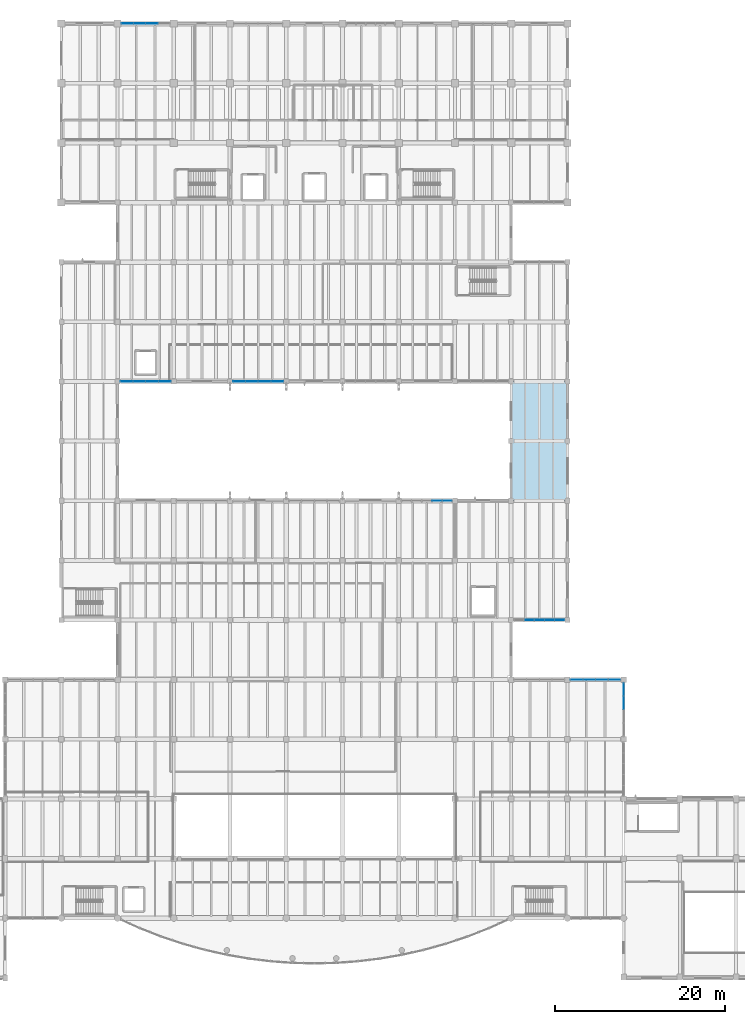
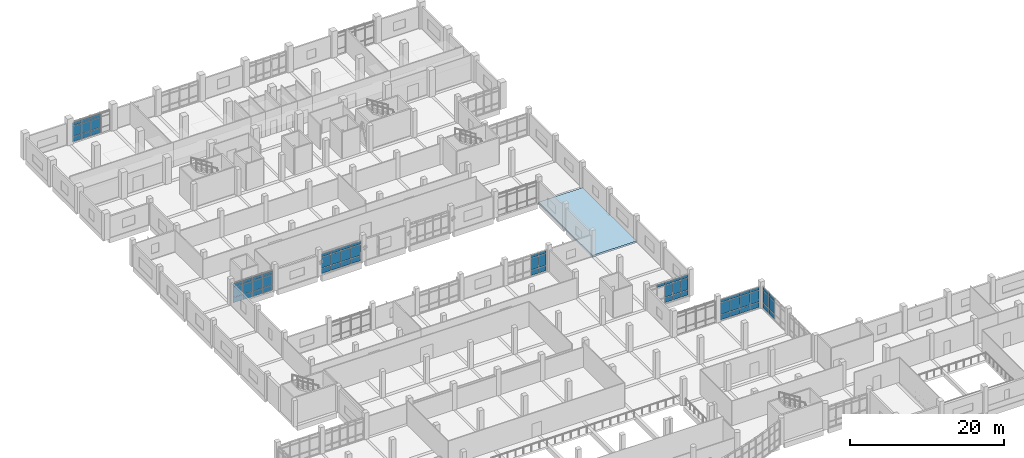
# One storey, part 38 of 68: 67 plates, 1 slab, 7 elements without a shape of their own.
"""IFC4 building model written with IfcOpenShell, lengths in metres."""

from ifc_helpers import new_model, si_unit, direction, frame, origin, origin_2d, place, context, subcontext, project, spatial, polyline, rectangle, outline, extrude, material, layer, layer_set, type_object, element, aggregate, save


model = new_model("IFC4")

# Units and contexts
model_context = context("Model", 3, precision=1e-05, world=origin(), true_north=direction((0.0, 1.0)))
body_context = subcontext(model_context, "Body", "Model", "MODEL_VIEW")
ifc_project = project(units=[si_unit("LENGTHUNIT", "METRE"), si_unit("AREAUNIT", "SQUARE_METRE"), si_unit("VOLUMEUNIT", "CUBIC_METRE"), si_unit("PLANEANGLEUNIT", "RADIAN"), si_unit("MASSUNIT", "GRAM", prefix="KILO")], contexts=[model_context])

# Site, building, storey
site_placement = place(None, origin())
site = spatial("IfcSite", under=ifc_project, at=site_placement, CompositionType="ELEMENT")
building_placement = place(site_placement, origin())
building = spatial("IfcBuilding", under=site, at=building_placement, Name="Ciguamira Faculty of Natural Sciences", CompositionType="ELEMENT")
storey_placement = place(building_placement, frame((0.0, 0.0, 4.199951171875)))
storey = spatial("IfcBuildingStorey", under=building, at=storey_placement, Name="L01", CompositionType="ELEMENT", Elevation=4.199951171875)

# Curtain wall, plates
ifc_material_1 = material(Name="Anodized aluminium curtain wall", Category="aluminium")
curtain_wall_type_1 = type_object("IfcCurtainWallType", Name="CurtainWall_CW-11", PredefinedType="USERDEFINED", material=ifc_material_1)
curtain_wall_1_placement = place(storey_placement, origin())
curtain_wall_1 = element("IfcCurtainWall", 1, at=curtain_wall_1_placement, inside=storey, type_object=curtain_wall_type_1, Name="L01 unitised curtain wall 0035", ObjectType="UNITISED CURTAIN WALL", PredefinedType="USERDEFINED")
ifc_material_2 = material(Name="Low-E laminated solar glass", Category="glass")
ifc_layer_1 = layer(ifc_material_2, 0.028076171875, Name="Low-E laminated solar glass")
ifc_layer_set_1 = layer_set([ifc_layer_1], Name="Low-E laminated solar glass")
plate_type_1 = type_object("IfcPlateType", Name="CWPanel_CWP-01", PredefinedType="CURTAIN_PANEL", material=ifc_layer_set_1)
plate_1_placement = place(storey_placement, frame((117.7861328125, 38.0, 0.070068359375), z_axis=(0.0, 0.0, 1.0), x_axis=(1.0, 0.0, 0.0)))
plate_1 = element("IfcPlate", 2, at=plate_1_placement, type_object=plate_type_1, Name="CW-11 panel 1.1", PredefinedType="CURTAIN_PANEL", context=body_context, shape_type="SweptSolid", body=[
    extrude(rectangle(XDim=1.382568359375, YDim=0.028076171875, at=origin_2d()), origin(), (0.0, 0.0, 1.0), 0.794921875),
])
plate_2_placement = place(storey_placement, frame((117.7861328125, 38.0, 0.93505859375), z_axis=(0.0, 0.0, 1.0), x_axis=(1.0, 0.0, 0.0)))
plate_2 = element("IfcPlate", 3, at=plate_2_placement, type_object=plate_type_1, Name="CW-11 panel 1.2", PredefinedType="CURTAIN_PANEL", context=body_context, shape_type="SweptSolid", body=[
    extrude(rectangle(XDim=1.382568359375, YDim=0.028076171875, at=origin_2d()), origin(), (0.0, 0.0, 1.0), 1.824951171875),
])
plate_3_placement = place(storey_placement, frame((117.7861328125, 38.0, 2.830078125), z_axis=(0.0, 0.0, 1.0), x_axis=(1.0, 0.0, 0.0)))
plate_3 = element("IfcPlate", 4, at=plate_3_placement, type_object=plate_type_1, Name="CW-11 panel 1.3", PredefinedType="CURTAIN_PANEL", context=body_context, shape_type="SweptSolid", body=[
    extrude(rectangle(XDim=1.382568359375, YDim=0.028076171875, at=origin_2d()), origin(), (0.0, 0.0, 1.0), 0.445068359375),
])
plate_4_placement = place(storey_placement, frame((119.25634765625, 38.0, 0.070068359375), z_axis=(0.0, 0.0, 1.0), x_axis=(1.0, 0.0, 0.0)))
plate_4 = element("IfcPlate", 5, at=plate_4_placement, type_object=plate_type_1, Name="CW-11 panel 2.1", PredefinedType="CURTAIN_PANEL", context=body_context, shape_type="SweptSolid", body=[
    extrude(rectangle(XDim=1.41748046875, YDim=0.028076171875, at=origin_2d()), origin(), (0.0, 0.0, 1.0), 0.794921875),
])
plate_5_placement = place(storey_placement, frame((119.25634765625, 38.0, 0.93505859375), z_axis=(0.0, 0.0, 1.0), x_axis=(1.0, 0.0, 0.0)))
plate_5 = element("IfcPlate", 6, at=plate_5_placement, type_object=plate_type_1, Name="CW-11 panel 2.2", PredefinedType="CURTAIN_PANEL", context=body_context, shape_type="SweptSolid", body=[
    extrude(rectangle(XDim=1.41748046875, YDim=0.028076171875, at=origin_2d()), origin(), (0.0, 0.0, 1.0), 1.824951171875),
])
plate_6_placement = place(storey_placement, frame((119.25634765625, 38.0, 2.830078125), z_axis=(0.0, 0.0, 1.0), x_axis=(1.0, 0.0, 0.0)))
plate_6 = element("IfcPlate", 7, at=plate_6_placement, type_object=plate_type_1, Name="CW-11 panel 2.3", PredefinedType="CURTAIN_PANEL", context=body_context, shape_type="SweptSolid", body=[
    extrude(rectangle(XDim=1.41748046875, YDim=0.028076171875, at=origin_2d()), origin(), (0.0, 0.0, 1.0), 0.445068359375),
])
plate_7_placement = place(storey_placement, frame((120.74365234375, 38.0, 0.070068359375), z_axis=(0.0, 0.0, 1.0), x_axis=(1.0, 0.0, 0.0)))
plate_7 = element("IfcPlate", 8, at=plate_7_placement, type_object=plate_type_1, Name="CW-11 panel 3.1", PredefinedType="CURTAIN_PANEL", context=body_context, shape_type="SweptSolid", body=[
    extrude(rectangle(XDim=1.41748046875, YDim=0.028076171875, at=origin_2d()), origin(), (0.0, 0.0, 1.0), 0.794921875),
])
plate_8_placement = place(storey_placement, frame((120.74365234375, 38.0, 0.93505859375), z_axis=(0.0, 0.0, 1.0), x_axis=(1.0, 0.0, 0.0)))
plate_8 = element("IfcPlate", 9, at=plate_8_placement, type_object=plate_type_1, Name="CW-11 panel 3.2", PredefinedType="CURTAIN_PANEL", context=body_context, shape_type="SweptSolid", body=[
    extrude(rectangle(XDim=1.41748046875, YDim=0.028076171875, at=origin_2d()), origin(), (0.0, 0.0, 1.0), 1.824951171875),
])
plate_9_placement = place(storey_placement, frame((120.74365234375, 38.0, 2.830078125), z_axis=(0.0, 0.0, 1.0), x_axis=(1.0, 0.0, 0.0)))
plate_9 = element("IfcPlate", 10, at=plate_9_placement, type_object=plate_type_1, Name="CW-11 panel 3.3", PredefinedType="CURTAIN_PANEL", context=body_context, shape_type="SweptSolid", body=[
    extrude(rectangle(XDim=1.41748046875, YDim=0.028076171875, at=origin_2d()), origin(), (0.0, 0.0, 1.0), 0.445068359375),
])
plate_10_placement = place(storey_placement, frame((122.2138671875, 38.0, 0.070068359375), z_axis=(0.0, 0.0, 1.0), x_axis=(1.0, 0.0, 0.0)))
plate_10 = element("IfcPlate", 11, at=plate_10_placement, type_object=plate_type_1, Name="CW-11 panel 4.1", PredefinedType="CURTAIN_PANEL", context=body_context, shape_type="SweptSolid", body=[
    extrude(rectangle(XDim=1.382568359375, YDim=0.028076171875, at=origin_2d()), origin(), (0.0, 0.0, 1.0), 0.794921875),
])
plate_11_placement = place(storey_placement, frame((122.2138671875, 38.0, 0.93505859375), z_axis=(0.0, 0.0, 1.0), x_axis=(1.0, 0.0, 0.0)))
plate_11 = element("IfcPlate", 12, at=plate_11_placement, type_object=plate_type_1, Name="CW-11 panel 4.2", PredefinedType="CURTAIN_PANEL", context=body_context, shape_type="SweptSolid", body=[
    extrude(rectangle(XDim=1.382568359375, YDim=0.028076171875, at=origin_2d()), origin(), (0.0, 0.0, 1.0), 1.824951171875),
])
plate_12_placement = place(storey_placement, frame((122.2138671875, 38.0, 2.830078125), z_axis=(0.0, 0.0, 1.0), x_axis=(1.0, 0.0, 0.0)))
plate_12 = element("IfcPlate", 13, at=plate_12_placement, type_object=plate_type_1, Name="CW-11 panel 4.3", PredefinedType="CURTAIN_PANEL", context=body_context, shape_type="SweptSolid", body=[
    extrude(rectangle(XDim=1.382568359375, YDim=0.028076171875, at=origin_2d()), origin(), (0.0, 0.0, 1.0), 0.445068359375),
])
aggregate(curtain_wall_1, [plate_1, plate_2, plate_3, plate_4, plate_5, plate_6, plate_7, plate_8, plate_9, plate_10, plate_11, plate_12])

curtain_wall_type_2 = type_object("IfcCurtainWallType", Name="CurtainWall_CW-03", PredefinedType="USERDEFINED", material=ifc_material_1)
curtain_wall_2_placement = place(storey_placement, origin())
curtain_wall_2 = element("IfcCurtainWall", 14, at=curtain_wall_2_placement, inside=storey, type_object=curtain_wall_type_2, Name="L01 unitised curtain wall 0039", ObjectType="UNITISED CURTAIN WALL", PredefinedType="USERDEFINED")
plate_13_placement = place(storey_placement, frame((101.39990234375, 59.0, 0.080078125), z_axis=(0.0, 0.0, 1.0), x_axis=(1.0, 0.0, 0.0)))
plate_13 = element("IfcPlate", 15, at=plate_13_placement, type_object=plate_type_1, Name="CW-03 panel 4.1", PredefinedType="CURTAIN_PANEL", context=body_context, shape_type="SweptSolid", body=[
    extrude(rectangle(XDim=1.1201171875, YDim=0.028076171875, at=origin_2d()), origin(), (0.0, 0.0, 1.0), 0.780029296875),
])
plate_14_placement = place(storey_placement, frame((101.39990234375, 59.0, 0.940185546875), z_axis=(0.0, 0.0, 1.0), x_axis=(1.0, 0.0, 0.0)))
plate_14 = element("IfcPlate", 16, at=plate_14_placement, type_object=plate_type_1, Name="CW-03 panel 4.2", PredefinedType="CURTAIN_PANEL", context=body_context, shape_type="SweptSolid", body=[
    extrude(rectangle(XDim=1.1201171875, YDim=0.028076171875, at=origin_2d()), origin(), (0.0, 0.0, 1.0), 1.8349609375),
])
plate_15_placement = place(storey_placement, frame((101.39990234375, 59.0, 2.85498046875), z_axis=(0.0, 0.0, 1.0), x_axis=(1.0, 0.0, 0.0)))
plate_15 = element("IfcPlate", 17, at=plate_15_placement, type_object=plate_type_1, Name="CW-03 panel 4.3", PredefinedType="CURTAIN_PANEL", context=body_context, shape_type="SweptSolid", body=[
    extrude(rectangle(XDim=1.1201171875, YDim=0.028076171875, at=origin_2d()), origin(), (0.0, 0.0, 1.0), 0.429931640625),
])
plate_16_placement = place(storey_placement, frame((102.580078125, 59.0, 0.080078125), z_axis=(0.0, 0.0, 1.0), x_axis=(1.0, 0.0, 0.0)))
plate_16 = element("IfcPlate", 18, at=plate_16_placement, type_object=plate_type_1, Name="CW-03 panel 5.1", PredefinedType="CURTAIN_PANEL", context=body_context, shape_type="SweptSolid", body=[
    extrude(rectangle(XDim=1.080078125, YDim=0.028076171875, at=origin_2d()), origin(), (0.0, 0.0, 1.0), 0.780029296875),
])
plate_17_placement = place(storey_placement, frame((102.580078125, 59.0, 0.940185546875), z_axis=(0.0, 0.0, 1.0), x_axis=(1.0, 0.0, 0.0)))
plate_17 = element("IfcPlate", 19, at=plate_17_placement, type_object=plate_type_1, Name="CW-03 panel 5.2", PredefinedType="CURTAIN_PANEL", context=body_context, shape_type="SweptSolid", body=[
    extrude(rectangle(XDim=1.080078125, YDim=0.028076171875, at=origin_2d()), origin(), (0.0, 0.0, 1.0), 1.8349609375),
])
plate_18_placement = place(storey_placement, frame((102.580078125, 59.0, 2.85498046875), z_axis=(0.0, 0.0, 1.0), x_axis=(1.0, 0.0, 0.0)))
plate_18 = element("IfcPlate", 20, at=plate_18_placement, type_object=plate_type_1, Name="CW-03 panel 5.3", PredefinedType="CURTAIN_PANEL", context=body_context, shape_type="SweptSolid", body=[
    extrude(rectangle(XDim=1.080078125, YDim=0.028076171875, at=origin_2d()), origin(), (0.0, 0.0, 1.0), 0.429931640625),
])
aggregate(curtain_wall_2, [plate_13, plate_14, plate_15, plate_16, plate_17, plate_18])

curtain_wall_type_3 = type_object("IfcCurtainWallType", Name="CurtainWall_CW-05", PredefinedType="USERDEFINED", material=ifc_material_1)
curtain_wall_3_placement = place(storey_placement, origin())
curtain_wall_3 = element("IfcCurtainWall", 21, at=curtain_wall_3_placement, inside=storey, type_object=curtain_wall_type_3, Name="L01 unitised curtain wall 0041", ObjectType="UNITISED CURTAIN WALL", PredefinedType="USERDEFINED")
plate_19_placement = place(storey_placement, frame((78.16748046875, 73.0, 0.070068359375), z_axis=(0.0, 0.0, 1.0), x_axis=(1.0, 0.0, 0.0)))
plate_19 = element("IfcPlate", 22, at=plate_19_placement, type_object=plate_type_1, Name="CW-05 panel 1.1", PredefinedType="CURTAIN_PANEL", context=body_context, shape_type="SweptSolid", body=[
    extrude(rectangle(XDim=1.39501953125, YDim=0.028076171875, at=origin_2d()), origin(), (0.0, 0.0, 1.0), 0.794921875),
])
plate_20_placement = place(storey_placement, frame((78.16748046875, 73.0, 0.93505859375), z_axis=(0.0, 0.0, 1.0), x_axis=(1.0, 0.0, 0.0)))
plate_20 = element("IfcPlate", 23, at=plate_20_placement, type_object=plate_type_1, Name="CW-05 panel 1.2", PredefinedType="CURTAIN_PANEL", context=body_context, shape_type="SweptSolid", body=[
    extrude(rectangle(XDim=1.39501953125, YDim=0.028076171875, at=origin_2d()), origin(), (0.0, 0.0, 1.0), 1.715087890625),
])
plate_21_placement = place(storey_placement, frame((78.16748046875, 73.0, 2.72021484375), z_axis=(0.0, 0.0, 1.0), x_axis=(1.0, 0.0, 0.0)))
plate_21 = element("IfcPlate", 24, at=plate_21_placement, type_object=plate_type_1, Name="CW-05 panel 1.3", PredefinedType="CURTAIN_PANEL", context=body_context, shape_type="SweptSolid", body=[
    extrude(rectangle(XDim=1.39501953125, YDim=0.028076171875, at=origin_2d()), origin(), (0.0, 0.0, 1.0), 0.445068359375),
])
plate_22_placement = place(storey_placement, frame((79.64990234375, 73.0, 0.070068359375), z_axis=(0.0, 0.0, 1.0), x_axis=(1.0, 0.0, 0.0)))
plate_22 = element("IfcPlate", 25, at=plate_22_placement, type_object=plate_type_1, Name="CW-05 panel 2.1", PredefinedType="CURTAIN_PANEL", context=body_context, shape_type="SweptSolid", body=[
    extrude(rectangle(XDim=1.429931640625, YDim=0.028076171875, at=origin_2d()), origin(), (0.0, 0.0, 1.0), 0.794921875),
])
plate_23_placement = place(storey_placement, frame((79.64990234375, 73.0, 0.93505859375), z_axis=(0.0, 0.0, 1.0), x_axis=(1.0, 0.0, 0.0)))
plate_23 = element("IfcPlate", 26, at=plate_23_placement, type_object=plate_type_1, Name="CW-05 panel 2.2", PredefinedType="CURTAIN_PANEL", context=body_context, shape_type="SweptSolid", body=[
    extrude(rectangle(XDim=1.429931640625, YDim=0.028076171875, at=origin_2d()), origin(), (0.0, 0.0, 1.0), 1.715087890625),
])
plate_24_placement = place(storey_placement, frame((79.64990234375, 73.0, 2.72021484375), z_axis=(0.0, 0.0, 1.0), x_axis=(1.0, 0.0, 0.0)))
plate_24 = element("IfcPlate", 27, at=plate_24_placement, type_object=plate_type_1, Name="CW-05 panel 2.3", PredefinedType="CURTAIN_PANEL", context=body_context, shape_type="SweptSolid", body=[
    extrude(rectangle(XDim=1.429931640625, YDim=0.028076171875, at=origin_2d()), origin(), (0.0, 0.0, 1.0), 0.445068359375),
])
plate_25_placement = place(storey_placement, frame((81.14990234375, 73.0, 0.070068359375), z_axis=(0.0, 0.0, 1.0), x_axis=(1.0, 0.0, 0.0)))
plate_25 = element("IfcPlate", 28, at=plate_25_placement, type_object=plate_type_1, Name="CW-05 panel 3.1", PredefinedType="CURTAIN_PANEL", context=body_context, shape_type="SweptSolid", body=[
    extrude(rectangle(XDim=1.429931640625, YDim=0.028076171875, at=origin_2d()), origin(), (0.0, 0.0, 1.0), 0.794921875),
])
plate_26_placement = place(storey_placement, frame((81.14990234375, 73.0, 0.93505859375), z_axis=(0.0, 0.0, 1.0), x_axis=(1.0, 0.0, 0.0)))
plate_26 = element("IfcPlate", 29, at=plate_26_placement, type_object=plate_type_1, Name="CW-05 panel 3.2", PredefinedType="CURTAIN_PANEL", context=body_context, shape_type="SweptSolid", body=[
    extrude(rectangle(XDim=1.429931640625, YDim=0.028076171875, at=origin_2d()), origin(), (0.0, 0.0, 1.0), 1.715087890625),
])
plate_27_placement = place(storey_placement, frame((81.14990234375, 73.0, 2.72021484375), z_axis=(0.0, 0.0, 1.0), x_axis=(1.0, 0.0, 0.0)))
plate_27 = element("IfcPlate", 30, at=plate_27_placement, type_object=plate_type_1, Name="CW-05 panel 3.3", PredefinedType="CURTAIN_PANEL", context=body_context, shape_type="SweptSolid", body=[
    extrude(rectangle(XDim=1.429931640625, YDim=0.028076171875, at=origin_2d()), origin(), (0.0, 0.0, 1.0), 0.445068359375),
])
plate_28_placement = place(storey_placement, frame((82.632568359375, 73.0, 0.070068359375), z_axis=(0.0, 0.0, 1.0), x_axis=(1.0, 0.0, 0.0)))
plate_28 = element("IfcPlate", 31, at=plate_28_placement, type_object=plate_type_1, Name="CW-05 panel 4.1", PredefinedType="CURTAIN_PANEL", context=body_context, shape_type="SweptSolid", body=[
    extrude(rectangle(XDim=1.39501953125, YDim=0.028076171875, at=origin_2d()), origin(), (0.0, 0.0, 1.0), 0.794921875),
])
plate_29_placement = place(storey_placement, frame((82.632568359375, 73.0, 0.93505859375), z_axis=(0.0, 0.0, 1.0), x_axis=(1.0, 0.0, 0.0)))
plate_29 = element("IfcPlate", 32, at=plate_29_placement, type_object=plate_type_1, Name="CW-05 panel 4.2", PredefinedType="CURTAIN_PANEL", context=body_context, shape_type="SweptSolid", body=[
    extrude(rectangle(XDim=1.39501953125, YDim=0.028076171875, at=origin_2d()), origin(), (0.0, 0.0, 1.0), 1.715087890625),
])
plate_30_placement = place(storey_placement, frame((82.632568359375, 73.0, 2.72021484375), z_axis=(0.0, 0.0, 1.0), x_axis=(1.0, 0.0, 0.0)))
plate_30 = element("IfcPlate", 33, at=plate_30_placement, type_object=plate_type_1, Name="CW-05 panel 4.3", PredefinedType="CURTAIN_PANEL", context=body_context, shape_type="SweptSolid", body=[
    extrude(rectangle(XDim=1.39501953125, YDim=0.028076171875, at=origin_2d()), origin(), (0.0, 0.0, 1.0), 0.445068359375),
])
aggregate(curtain_wall_3, [plate_19, plate_20, plate_21, plate_22, plate_23, plate_24, plate_25, plate_26, plate_27, plate_28, plate_29, plate_30])

curtain_wall_4_placement = place(storey_placement, origin())
curtain_wall_4 = element("IfcCurtainWall", 34, at=curtain_wall_4_placement, inside=storey, type_object=curtain_wall_type_3, Name="L01 unitised curtain wall 0053", ObjectType="UNITISED CURTAIN WALL", PredefinedType="USERDEFINED")
plate_31_placement = place(storey_placement, frame((123.300048828125, 35.293701171875, 0.070068359375), z_axis=(0.0, 0.0, 1.0), x_axis=(0.0, 1.0, 0.0)))
plate_31 = element("IfcPlate", 35, at=plate_31_placement, type_object=plate_type_1, Name="CW-05 panel 3.1", PredefinedType="CURTAIN_PANEL", context=body_context, shape_type="SweptSolid", body=[
    extrude(rectangle(XDim=1.517578125, YDim=0.028076171875, at=origin_2d()), origin(), (0.0, 0.0, 1.0), 0.794921875),
])
plate_32_placement = place(storey_placement, frame((123.300048828125, 35.293701171875, 0.93505859375), z_axis=(0.0, 0.0, 1.0), x_axis=(0.0, 1.0, 0.0)))
plate_32 = element("IfcPlate", 36, at=plate_32_placement, type_object=plate_type_1, Name="CW-05 panel 3.2", PredefinedType="CURTAIN_PANEL", context=body_context, shape_type="SweptSolid", body=[
    extrude(rectangle(XDim=1.517578125, YDim=0.028076171875, at=origin_2d()), origin(), (0.0, 0.0, 1.0), 1.945068359375),
])
plate_33_placement = place(storey_placement, frame((123.300048828125, 35.293701171875, 2.9501953125), z_axis=(0.0, 0.0, 1.0), x_axis=(0.0, 1.0, 0.0)))
plate_33 = element("IfcPlate", 37, at=plate_33_placement, type_object=plate_type_1, Name="CW-05 panel 3.3", PredefinedType="CURTAIN_PANEL", context=body_context, shape_type="SweptSolid", body=[
    extrude(rectangle(XDim=1.517578125, YDim=0.028076171875, at=origin_2d()), origin(), (0.0, 0.0, 1.0), 0.445068359375),
])
plate_34_placement = place(storey_placement, frame((123.300048828125, 36.86376953125, 0.070068359375), z_axis=(0.0, 0.0, 1.0), x_axis=(0.0, 1.0, 0.0)))
plate_34 = element("IfcPlate", 38, at=plate_34_placement, type_object=plate_type_1, Name="CW-05 panel 4.1", PredefinedType="CURTAIN_PANEL", context=body_context, shape_type="SweptSolid", body=[
    extrude(rectangle(XDim=1.482421875, YDim=0.028076171875, at=origin_2d()), origin(), (0.0, 0.0, 1.0), 0.794921875),
])
plate_35_placement = place(storey_placement, frame((123.300048828125, 36.86376953125, 0.93505859375), z_axis=(0.0, 0.0, 1.0), x_axis=(0.0, 1.0, 0.0)))
plate_35 = element("IfcPlate", 39, at=plate_35_placement, type_object=plate_type_1, Name="CW-05 panel 4.2", PredefinedType="CURTAIN_PANEL", context=body_context, shape_type="SweptSolid", body=[
    extrude(rectangle(XDim=1.482421875, YDim=0.028076171875, at=origin_2d()), origin(), (0.0, 0.0, 1.0), 1.945068359375),
])
plate_36_placement = place(storey_placement, frame((123.300048828125, 36.86376953125, 2.9501953125), z_axis=(0.0, 0.0, 1.0), x_axis=(0.0, 1.0, 0.0)))
plate_36 = element("IfcPlate", 40, at=plate_36_placement, type_object=plate_type_1, Name="CW-05 panel 4.3", PredefinedType="CURTAIN_PANEL", context=body_context, shape_type="SweptSolid", body=[
    extrude(rectangle(XDim=1.482421875, YDim=0.028076171875, at=origin_2d()), origin(), (0.0, 0.0, 1.0), 0.445068359375),
])
aggregate(curtain_wall_4, [plate_31, plate_32, plate_33, plate_34, plate_35, plate_36])

curtain_wall_type_4 = type_object("IfcCurtainWallType", Name="CurtainWall_CW-12", PredefinedType="USERDEFINED", material=ifc_material_1)
curtain_wall_5_placement = place(storey_placement, origin())
curtain_wall_5 = element("IfcCurtainWall", 41, at=curtain_wall_5_placement, inside=storey, type_object=curtain_wall_type_4, Name="L01 unitised curtain wall 0036", ObjectType="UNITISED CURTAIN WALL", PredefinedType="USERDEFINED")
ifc_layer_2 = layer(ifc_material_2, 0.035888671875, Name="Low-E laminated solar glass")
ifc_layer_set_2 = layer_set([ifc_layer_2], Name="Low-E laminated solar glass")
plate_type_2 = type_object("IfcPlateType", Name="CWPanel_CWP-02", PredefinedType="CURTAIN_PANEL", material=ifc_layer_set_2)
plate_37_placement = place(storey_placement, frame((112.199951171875, 45.0, 2.875), z_axis=(0.0, 0.0, 1.0), x_axis=(1.0, 0.0, 0.0)))
plate_37 = element("IfcPlate", 42, at=plate_37_placement, type_object=plate_type_2, Name="CW-12 panel 2.3", PredefinedType="CURTAIN_PANEL", context=body_context, shape_type="SweptSolid", body=[
    extrude(rectangle(XDim=1.1201171875, YDim=0.035888671875, at=origin_2d()), origin(), (0.0, 0.0, 1.0), 0.429931640625),
])
plate_38_placement = place(storey_placement, frame((113.39990234375, 45.0, 0.080078125), z_axis=(0.0, 0.0, 1.0), x_axis=(1.0, 0.0, 0.0)))
plate_38 = element("IfcPlate", 43, at=plate_38_placement, type_object=plate_type_2, Name="CW-12 panel 3.1", PredefinedType="CURTAIN_PANEL", context=body_context, shape_type="SweptSolid", body=[
    extrude(rectangle(XDim=1.1201171875, YDim=0.035888671875, at=origin_2d()), origin(), (0.0, 0.0, 1.0), 0.780029296875),
])
plate_39_placement = place(storey_placement, frame((113.39990234375, 45.0, 0.93994140625), z_axis=(0.0, 0.0, 1.0), x_axis=(1.0, 0.0, 0.0)))
plate_39 = element("IfcPlate", 44, at=plate_39_placement, type_object=plate_type_2, Name="CW-12 panel 3.2", PredefinedType="CURTAIN_PANEL", context=body_context, shape_type="SweptSolid", body=[
    extrude(rectangle(XDim=1.1201171875, YDim=0.035888671875, at=origin_2d()), origin(), (0.0, 0.0, 1.0), 1.85498046875),
])
plate_40_placement = place(storey_placement, frame((113.39990234375, 45.0, 2.875), z_axis=(0.0, 0.0, 1.0), x_axis=(1.0, 0.0, 0.0)))
plate_40 = element("IfcPlate", 45, at=plate_40_placement, type_object=plate_type_2, Name="CW-12 panel 3.3", PredefinedType="CURTAIN_PANEL", context=body_context, shape_type="SweptSolid", body=[
    extrude(rectangle(XDim=1.1201171875, YDim=0.035888671875, at=origin_2d()), origin(), (0.0, 0.0, 1.0), 0.429931640625),
])
plate_41_placement = place(storey_placement, frame((114.60009765625, 45.0, 0.080078125), z_axis=(0.0, 0.0, 1.0), x_axis=(1.0, 0.0, 0.0)))
plate_41 = element("IfcPlate", 46, at=plate_41_placement, type_object=plate_type_2, Name="CW-12 panel 4.1", PredefinedType="CURTAIN_PANEL", context=body_context, shape_type="SweptSolid", body=[
    extrude(rectangle(XDim=1.1201171875, YDim=0.035888671875, at=origin_2d()), origin(), (0.0, 0.0, 1.0), 0.780029296875),
])
plate_42_placement = place(storey_placement, frame((114.60009765625, 45.0, 0.93994140625), z_axis=(0.0, 0.0, 1.0), x_axis=(1.0, 0.0, 0.0)))
plate_42 = element("IfcPlate", 47, at=plate_42_placement, type_object=plate_type_2, Name="CW-12 panel 4.2", PredefinedType="CURTAIN_PANEL", context=body_context, shape_type="SweptSolid", body=[
    extrude(rectangle(XDim=1.1201171875, YDim=0.035888671875, at=origin_2d()), origin(), (0.0, 0.0, 1.0), 1.85498046875),
])
plate_43_placement = place(storey_placement, frame((114.60009765625, 45.0, 2.875), z_axis=(0.0, 0.0, 1.0), x_axis=(1.0, 0.0, 0.0)))
plate_43 = element("IfcPlate", 48, at=plate_43_placement, type_object=plate_type_2, Name="CW-12 panel 4.3", PredefinedType="CURTAIN_PANEL", context=body_context, shape_type="SweptSolid", body=[
    extrude(rectangle(XDim=1.1201171875, YDim=0.035888671875, at=origin_2d()), origin(), (0.0, 0.0, 1.0), 0.429931640625),
])
plate_44_placement = place(storey_placement, frame((115.780029296875, 45.0, 0.080078125), z_axis=(0.0, 0.0, 1.0), x_axis=(1.0, 0.0, 0.0)))
plate_44 = element("IfcPlate", 49, at=plate_44_placement, type_object=plate_type_2, Name="CW-12 panel 5.1", PredefinedType="CURTAIN_PANEL", context=body_context, shape_type="SweptSolid", body=[
    extrude(rectangle(XDim=1.080078125, YDim=0.035888671875, at=origin_2d()), origin(), (0.0, 0.0, 1.0), 0.780029296875),
])
plate_45_placement = place(storey_placement, frame((115.780029296875, 45.0, 0.93994140625), z_axis=(0.0, 0.0, 1.0), x_axis=(1.0, 0.0, 0.0)))
plate_45 = element("IfcPlate", 50, at=plate_45_placement, type_object=plate_type_2, Name="CW-12 panel 5.2", PredefinedType="CURTAIN_PANEL", context=body_context, shape_type="SweptSolid", body=[
    extrude(rectangle(XDim=1.080078125, YDim=0.035888671875, at=origin_2d()), origin(), (0.0, 0.0, 1.0), 1.85498046875),
])
plate_46_placement = place(storey_placement, frame((115.780029296875, 45.0, 2.875), z_axis=(0.0, 0.0, 1.0), x_axis=(1.0, 0.0, 0.0)))
plate_46 = element("IfcPlate", 51, at=plate_46_placement, type_object=plate_type_2, Name="CW-12 panel 5.3", PredefinedType="CURTAIN_PANEL", context=body_context, shape_type="SweptSolid", body=[
    extrude(rectangle(XDim=1.080078125, YDim=0.035888671875, at=origin_2d()), origin(), (0.0, 0.0, 1.0), 0.429931640625),
])
aggregate(curtain_wall_5, [plate_37, plate_38, plate_39, plate_40, plate_41, plate_42, plate_43, plate_44, plate_45, plate_46])

curtain_wall_type_5 = type_object("IfcCurtainWallType", Name="CurtainWall_CW-04", PredefinedType="USERDEFINED", material=ifc_material_1)
curtain_wall_6_placement = place(storey_placement, origin())
curtain_wall_6 = element("IfcCurtainWall", 52, at=curtain_wall_6_placement, inside=storey, type_object=curtain_wall_type_5, Name="L01 unitised curtain wall 0040", ObjectType="UNITISED CURTAIN WALL", PredefinedType="USERDEFINED")
plate_47_placement = place(storey_placement, frame((64.965087890625, 73.0, 0.06005859375), z_axis=(0.0, 0.0, 1.0), x_axis=(1.0, 0.0, 0.0)))
plate_47 = element("IfcPlate", 53, at=plate_47_placement, type_object=plate_type_2, Name="CW-04 panel 1.1", PredefinedType="CURTAIN_PANEL", context=body_context, shape_type="SweptSolid", body=[
    extrude(rectangle(XDim=1.409912109375, YDim=0.035888671875, at=origin_2d()), origin(), (0.0, 0.0, 1.0), 0.81005859375),
])
plate_48_placement = place(storey_placement, frame((64.965087890625, 73.0, 0.929931640625), z_axis=(0.0, 0.0, 1.0), x_axis=(1.0, 0.0, 0.0)))
plate_48 = element("IfcPlate", 54, at=plate_48_placement, type_object=plate_type_2, Name="CW-04 panel 1.2", PredefinedType="CURTAIN_PANEL", context=body_context, shape_type="SweptSolid", body=[
    extrude(rectangle(XDim=1.409912109375, YDim=0.035888671875, at=origin_2d()), origin(), (0.0, 0.0, 1.0), 1.625),
])
plate_49_placement = place(storey_placement, frame((64.965087890625, 73.0, 2.614990234375), z_axis=(0.0, 0.0, 1.0), x_axis=(1.0, 0.0, 0.0)))
plate_49 = element("IfcPlate", 55, at=plate_49_placement, type_object=plate_type_2, Name="CW-04 panel 1.3", PredefinedType="CURTAIN_PANEL", context=body_context, shape_type="SweptSolid", body=[
    extrude(rectangle(XDim=1.409912109375, YDim=0.035888671875, at=origin_2d()), origin(), (0.0, 0.0, 1.0), 0.4599609375),
])
plate_50_placement = place(storey_placement, frame((66.449951171875, 73.0, 0.06005859375), z_axis=(0.0, 0.0, 1.0), x_axis=(1.0, 0.0, 0.0)))
plate_50 = element("IfcPlate", 56, at=plate_50_placement, type_object=plate_type_2, Name="CW-04 panel 2.1", PredefinedType="CURTAIN_PANEL", context=body_context, shape_type="SweptSolid", body=[
    extrude(rectangle(XDim=1.43994140625, YDim=0.035888671875, at=origin_2d()), origin(), (0.0, 0.0, 1.0), 0.81005859375),
])
plate_51_placement = place(storey_placement, frame((66.449951171875, 73.0, 0.929931640625), z_axis=(0.0, 0.0, 1.0), x_axis=(1.0, 0.0, 0.0)))
plate_51 = element("IfcPlate", 57, at=plate_51_placement, type_object=plate_type_2, Name="CW-04 panel 2.2", PredefinedType="CURTAIN_PANEL", context=body_context, shape_type="SweptSolid", body=[
    extrude(rectangle(XDim=1.43994140625, YDim=0.035888671875, at=origin_2d()), origin(), (0.0, 0.0, 1.0), 1.625),
])
plate_52_placement = place(storey_placement, frame((66.449951171875, 73.0, 2.614990234375), z_axis=(0.0, 0.0, 1.0), x_axis=(1.0, 0.0, 0.0)))
plate_52 = element("IfcPlate", 58, at=plate_52_placement, type_object=plate_type_2, Name="CW-04 panel 2.3", PredefinedType="CURTAIN_PANEL", context=body_context, shape_type="SweptSolid", body=[
    extrude(rectangle(XDim=1.43994140625, YDim=0.035888671875, at=origin_2d()), origin(), (0.0, 0.0, 1.0), 0.4599609375),
])
plate_53_placement = place(storey_placement, frame((67.949951171875, 73.0, 0.06005859375), z_axis=(0.0, 0.0, 1.0), x_axis=(1.0, 0.0, 0.0)))
plate_53 = element("IfcPlate", 59, at=plate_53_placement, type_object=plate_type_2, Name="CW-04 panel 3.1", PredefinedType="CURTAIN_PANEL", context=body_context, shape_type="SweptSolid", body=[
    extrude(rectangle(XDim=1.43994140625, YDim=0.035888671875, at=origin_2d()), origin(), (0.0, 0.0, 1.0), 0.81005859375),
])
plate_54_placement = place(storey_placement, frame((67.949951171875, 73.0, 0.929931640625), z_axis=(0.0, 0.0, 1.0), x_axis=(1.0, 0.0, 0.0)))
plate_54 = element("IfcPlate", 60, at=plate_54_placement, type_object=plate_type_2, Name="CW-04 panel 3.2", PredefinedType="CURTAIN_PANEL", context=body_context, shape_type="SweptSolid", body=[
    extrude(rectangle(XDim=1.43994140625, YDim=0.035888671875, at=origin_2d()), origin(), (0.0, 0.0, 1.0), 1.625),
])
plate_55_placement = place(storey_placement, frame((67.949951171875, 73.0, 2.614990234375), z_axis=(0.0, 0.0, 1.0), x_axis=(1.0, 0.0, 0.0)))
plate_55 = element("IfcPlate", 61, at=plate_55_placement, type_object=plate_type_2, Name="CW-04 panel 3.3", PredefinedType="CURTAIN_PANEL", context=body_context, shape_type="SweptSolid", body=[
    extrude(rectangle(XDim=1.43994140625, YDim=0.035888671875, at=origin_2d()), origin(), (0.0, 0.0, 1.0), 0.4599609375),
])
plate_56_placement = place(storey_placement, frame((69.43505859375, 73.0, 0.06005859375), z_axis=(0.0, 0.0, 1.0), x_axis=(1.0, 0.0, 0.0)))
plate_56 = element("IfcPlate", 62, at=plate_56_placement, type_object=plate_type_2, Name="CW-04 panel 4.1", PredefinedType="CURTAIN_PANEL", context=body_context, shape_type="SweptSolid", body=[
    extrude(rectangle(XDim=1.409912109375, YDim=0.035888671875, at=origin_2d()), origin(), (0.0, 0.0, 1.0), 0.81005859375),
])
plate_57_placement = place(storey_placement, frame((69.43505859375, 73.0, 0.929931640625), z_axis=(0.0, 0.0, 1.0), x_axis=(1.0, 0.0, 0.0)))
plate_57 = element("IfcPlate", 63, at=plate_57_placement, type_object=plate_type_2, Name="CW-04 panel 4.2", PredefinedType="CURTAIN_PANEL", context=body_context, shape_type="SweptSolid", body=[
    extrude(rectangle(XDim=1.409912109375, YDim=0.035888671875, at=origin_2d()), origin(), (0.0, 0.0, 1.0), 1.625),
])
plate_58_placement = place(storey_placement, frame((69.43505859375, 73.0, 2.614990234375), z_axis=(0.0, 0.0, 1.0), x_axis=(1.0, 0.0, 0.0)))
plate_58 = element("IfcPlate", 64, at=plate_58_placement, type_object=plate_type_2, Name="CW-04 panel 4.3", PredefinedType="CURTAIN_PANEL", context=body_context, shape_type="SweptSolid", body=[
    extrude(rectangle(XDim=1.409912109375, YDim=0.035888671875, at=origin_2d()), origin(), (0.0, 0.0, 1.0), 0.4599609375),
])
aggregate(curtain_wall_6, [plate_47, plate_48, plate_49, plate_50, plate_51, plate_52, plate_53, plate_54, plate_55, plate_56, plate_57, plate_58])

curtain_wall_type_6 = type_object("IfcCurtainWallType", Name="CurtainWall_CW-10", PredefinedType="USERDEFINED", material=ifc_material_1)
curtain_wall_7_placement = place(storey_placement, origin())
curtain_wall_7 = element("IfcCurtainWall", 65, at=curtain_wall_7_placement, inside=storey, type_object=curtain_wall_type_6, Name="L01 unitised curtain wall 0046", ObjectType="UNITISED CURTAIN WALL", PredefinedType="USERDEFINED")
plate_59_placement = place(storey_placement, frame((65.058837890625, 115.0, 0.06005859375), z_axis=(0.0, 0.0, 1.0), x_axis=(1.0, 0.0, 0.0)))
plate_59 = element("IfcPlate", 66, at=plate_59_placement, type_object=plate_type_2, Name="CW-10 panel 1.1", PredefinedType="CURTAIN_PANEL", context=body_context, shape_type="SweptSolid", body=[
    extrude(rectangle(XDim=1.347412109375, YDim=0.035888671875, at=origin_2d()), origin(), (0.0, 0.0, 1.0), 0.81005859375),
])
plate_60_placement = place(storey_placement, frame((65.058837890625, 115.0, 0.929931640625), z_axis=(0.0, 0.0, 1.0), x_axis=(1.0, 0.0, 0.0)))
plate_60 = element("IfcPlate", 67, at=plate_60_placement, type_object=plate_type_2, Name="CW-10 panel 1.2", PredefinedType="CURTAIN_PANEL", context=body_context, shape_type="SweptSolid", body=[
    extrude(rectangle(XDim=1.347412109375, YDim=0.035888671875, at=origin_2d()), origin(), (0.0, 0.0, 1.0), 1.625),
])
plate_61_placement = place(storey_placement, frame((65.058837890625, 115.0, 2.614990234375), z_axis=(0.0, 0.0, 1.0), x_axis=(1.0, 0.0, 0.0)))
plate_61 = element("IfcPlate", 68, at=plate_61_placement, type_object=plate_type_2, Name="CW-10 panel 1.3", PredefinedType="CURTAIN_PANEL", context=body_context, shape_type="SweptSolid", body=[
    extrude(rectangle(XDim=1.347412109375, YDim=0.035888671875, at=origin_2d()), origin(), (0.0, 0.0, 1.0), 0.4599609375),
])
plate_62_placement = place(storey_placement, frame((66.481201171875, 115.0, 0.06005859375), z_axis=(0.0, 0.0, 1.0), x_axis=(1.0, 0.0, 0.0)))
plate_62 = element("IfcPlate", 69, at=plate_62_placement, type_object=plate_type_2, Name="CW-10 panel 2.1", PredefinedType="CURTAIN_PANEL", context=body_context, shape_type="SweptSolid", body=[
    extrude(rectangle(XDim=1.37744140625, YDim=0.035888671875, at=origin_2d()), origin(), (0.0, 0.0, 1.0), 0.81005859375),
])
plate_63_placement = place(storey_placement, frame((66.481201171875, 115.0, 0.929931640625), z_axis=(0.0, 0.0, 1.0), x_axis=(1.0, 0.0, 0.0)))
plate_63 = element("IfcPlate", 70, at=plate_63_placement, type_object=plate_type_2, Name="CW-10 panel 2.2", PredefinedType="CURTAIN_PANEL", context=body_context, shape_type="SweptSolid", body=[
    extrude(rectangle(XDim=1.37744140625, YDim=0.035888671875, at=origin_2d()), origin(), (0.0, 0.0, 1.0), 1.625),
])
plate_64_placement = place(storey_placement, frame((66.481201171875, 115.0, 2.614990234375), z_axis=(0.0, 0.0, 1.0), x_axis=(1.0, 0.0, 0.0)))
plate_64 = element("IfcPlate", 71, at=plate_64_placement, type_object=plate_type_2, Name="CW-10 panel 2.3", PredefinedType="CURTAIN_PANEL", context=body_context, shape_type="SweptSolid", body=[
    extrude(rectangle(XDim=1.37744140625, YDim=0.035888671875, at=origin_2d()), origin(), (0.0, 0.0, 1.0), 0.4599609375),
])
plate_65_placement = place(storey_placement, frame((67.918701171875, 115.0, 0.06005859375), z_axis=(0.0, 0.0, 1.0), x_axis=(1.0, 0.0, 0.0)))
plate_65 = element("IfcPlate", 72, at=plate_65_placement, type_object=plate_type_2, Name="CW-10 panel 3.1", PredefinedType="CURTAIN_PANEL", context=body_context, shape_type="SweptSolid", body=[
    extrude(rectangle(XDim=1.37744140625, YDim=0.035888671875, at=origin_2d()), origin(), (0.0, 0.0, 1.0), 0.81005859375),
])
plate_66_placement = place(storey_placement, frame((67.918701171875, 115.0, 0.929931640625), z_axis=(0.0, 0.0, 1.0), x_axis=(1.0, 0.0, 0.0)))
plate_66 = element("IfcPlate", 73, at=plate_66_placement, type_object=plate_type_2, Name="CW-10 panel 3.2", PredefinedType="CURTAIN_PANEL", context=body_context, shape_type="SweptSolid", body=[
    extrude(rectangle(XDim=1.37744140625, YDim=0.035888671875, at=origin_2d()), origin(), (0.0, 0.0, 1.0), 1.625),
])
plate_67_placement = place(storey_placement, frame((67.918701171875, 115.0, 2.614990234375), z_axis=(0.0, 0.0, 1.0), x_axis=(1.0, 0.0, 0.0)))
plate_67 = element("IfcPlate", 74, at=plate_67_placement, type_object=plate_type_2, Name="CW-10 panel 3.3", PredefinedType="CURTAIN_PANEL", context=body_context, shape_type="SweptSolid", body=[
    extrude(rectangle(XDim=1.37744140625, YDim=0.035888671875, at=origin_2d()), origin(), (0.0, 0.0, 1.0), 0.4599609375),
])
aggregate(curtain_wall_7, [plate_59, plate_60, plate_61, plate_62, plate_63, plate_64, plate_65, plate_66, plate_67])

# Slab
ifc_material_3 = material(Name="Concrete C40/50", Category="concrete")
ifc_layer_3 = layer(ifc_material_3, 0.280029296875, Name="Concrete C40/50")
ifc_layer_set_3 = layer_set([ifc_layer_3], Name="Concrete C40/50")
slab_type = type_object("IfcSlabType", Name="Slab_SF-03_280", PredefinedType="FLOOR", material=ifc_layer_set_3)
slab_placement = place(storey_placement, frame((0.0, 0.0, -0.280029296875)))
element("IfcSlab", 75, at=slab_placement, inside=storey, type_object=slab_type, Name="L01 V4E structural slab", PredefinedType="FLOOR", context=body_context, shape_type="SweptSolid", body=[
    extrude(outline(polyline([(110.10009765625, 59.0), (116.699951171875, 59.0), (116.699951171875, 73.0), (110.10009765625, 73.0), (110.10009765625, 59.0)])), origin(), (0.0, 0.0, 1.0), 0.280029296875),
])

save(model, "model.ifc")
